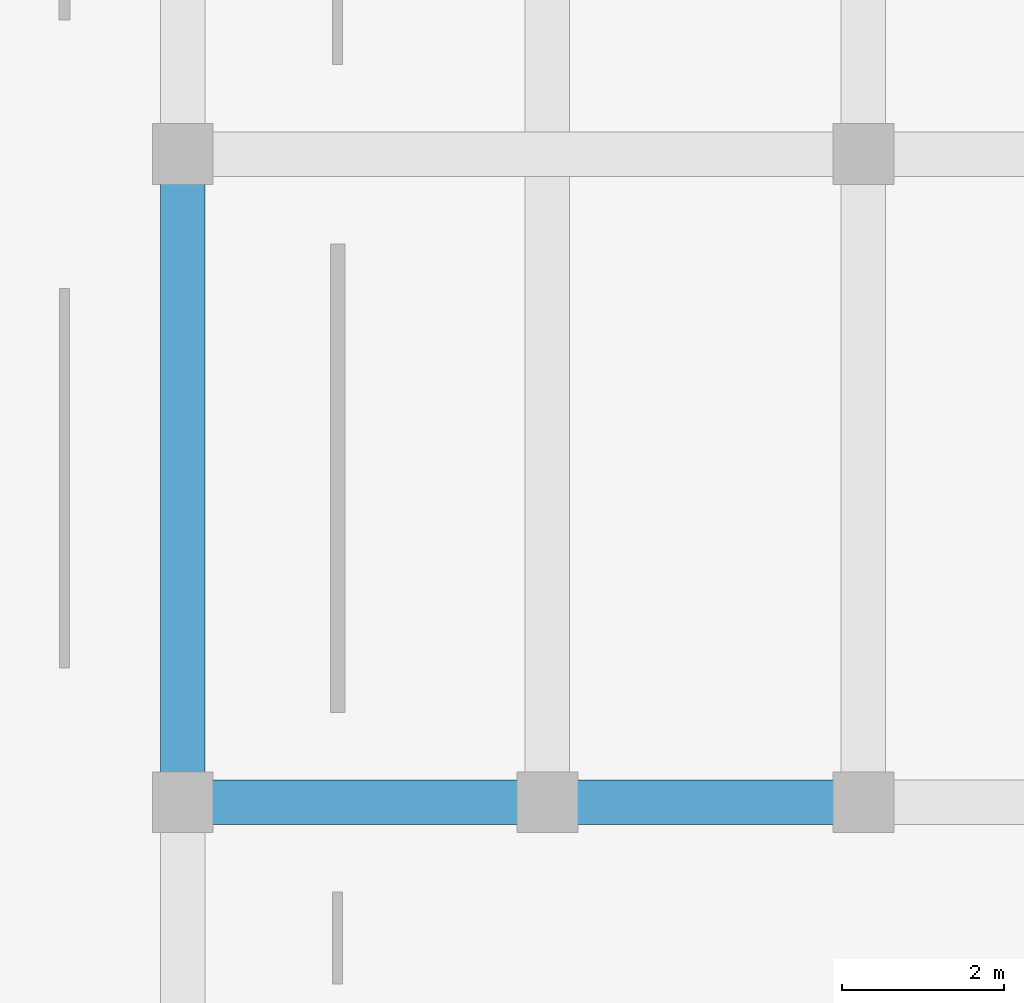
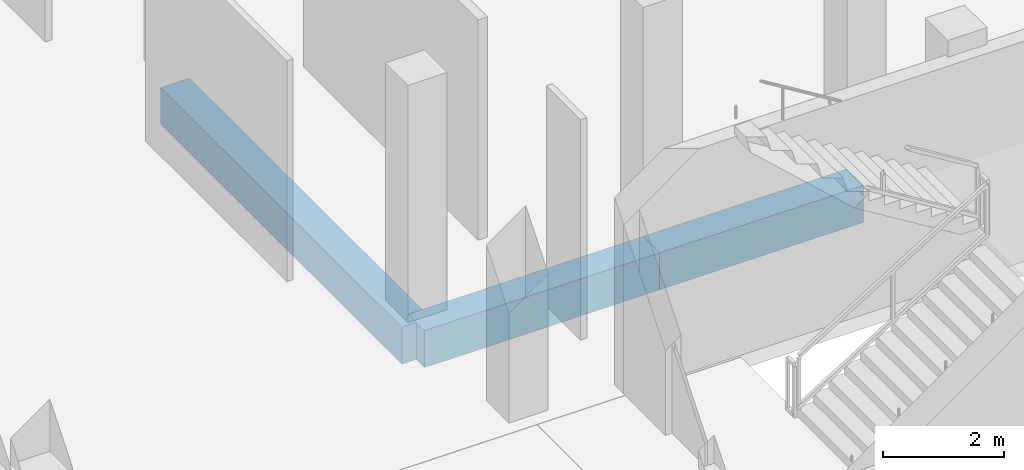
# One storey, part 60 of 155: 3 beams.
"""IFC4 building model written with IfcOpenShell, lengths in metres."""

from ifc_helpers import new_model, si_unit, direction, frame, origin, origin_2d, place, context, subcontext, project, spatial, rectangle, extrude, material, material_profile, profile_set, type_object, element, save


model = new_model("IFC4")

# Units and contexts
model_context = context("Model", 3, precision=1e-05, world=origin(), true_north=direction((0.0, 1.0)))
body_context = subcontext(model_context, "Body", "Model", "MODEL_VIEW")
ifc_project = project(units=[si_unit("LENGTHUNIT", "METRE"), si_unit("AREAUNIT", "SQUARE_METRE"), si_unit("VOLUMEUNIT", "CUBIC_METRE"), si_unit("PLANEANGLEUNIT", "RADIAN"), si_unit("MASSUNIT", "GRAM", prefix="KILO")], contexts=[model_context])

# Site, building, storey
site_placement = place(None, origin())
site = spatial("IfcSite", under=ifc_project, at=site_placement, CompositionType="ELEMENT")
building_placement = place(site_placement, origin())
building = spatial("IfcBuilding", under=site, at=building_placement, Name="Selatvlak General Hospital", CompositionType="ELEMENT")
storey_placement = place(building_placement, frame((0.0, 0.0, 10.199951171875)))
storey = spatial("IfcBuildingStorey", under=building, at=storey_placement, Name="L02", CompositionType="ELEMENT", Elevation=10.199951171875)

# Beams
ifc_material = material(Name="Concrete C40/50", Category="concrete")
ifc_material_profile = material_profile(ifc_material, rectangle(XDim=0.550048828125, YDim=0.75, at=origin_2d()), Name="RC-BM 550x750")
ifc_profile_set = profile_set([ifc_material_profile], Name="Concrete C40/50")
beam_type = type_object("IfcBeamType", Name="BM-G02", PredefinedType="BEAM", material=ifc_profile_set)
beam_1_placement = place(storey_placement, frame((22.800048828125, 92.0, -0.72998046875), z_axis=(1.0, 0.0, 0.0), x_axis=(0.0, 1.0, 0.0)))
element("IfcBeam", 1, at=beam_1_placement, inside=storey, type_object=beam_type, Name="Beam BMR-L02-0835", PredefinedType="BEAM", context=body_context, shape_type="SweptSolid", body=[
    extrude(rectangle(XDim=0.550048828125, YDim=0.75, at=origin_2d()), origin(), (0.0, 0.0, 1.0), 4.5),
])
beam_2_placement = place(storey_placement, frame((27.300048828125, 92.0, -0.72998046875), z_axis=(1.0, 0.0, 0.0), x_axis=(0.0, 1.0, 0.0)))
element("IfcBeam", 2, at=beam_2_placement, inside=storey, type_object=beam_type, Name="Beam BMR-L02-0836", PredefinedType="BEAM", context=body_context, shape_type="SweptSolid", body=[
    extrude(rectangle(XDim=0.550048828125, YDim=0.75, at=origin_2d()), origin(), (0.0, 0.0, 1.0), 3.89990234375),
])
beam_3_placement = place(storey_placement, frame((22.800048828125, 92.0, -0.72998046875), z_axis=(0.0, 1.0, 0.0), x_axis=(-1.0, 0.0, 0.0)))
element("IfcBeam", 3, at=beam_3_placement, inside=storey, type_object=beam_type, Name="Beam BMR-L02-0930", PredefinedType="BEAM", context=body_context, shape_type="SweptSolid", body=[
    extrude(rectangle(XDim=0.550048828125, YDim=0.75, at=origin_2d()), origin(), (0.0, 0.0, 1.0), 8.0),
])

save(model, "model.ifc")
